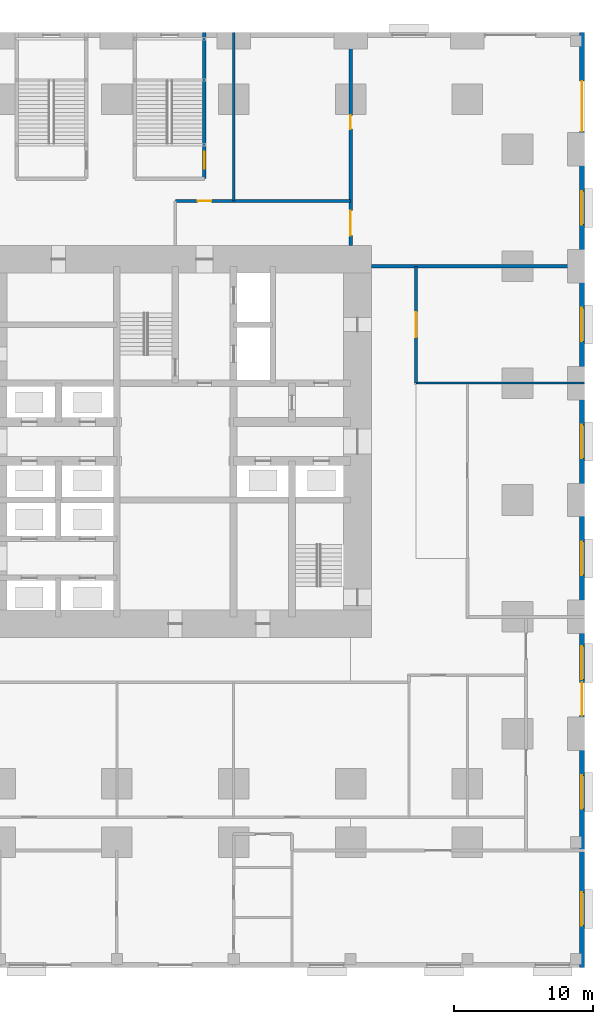
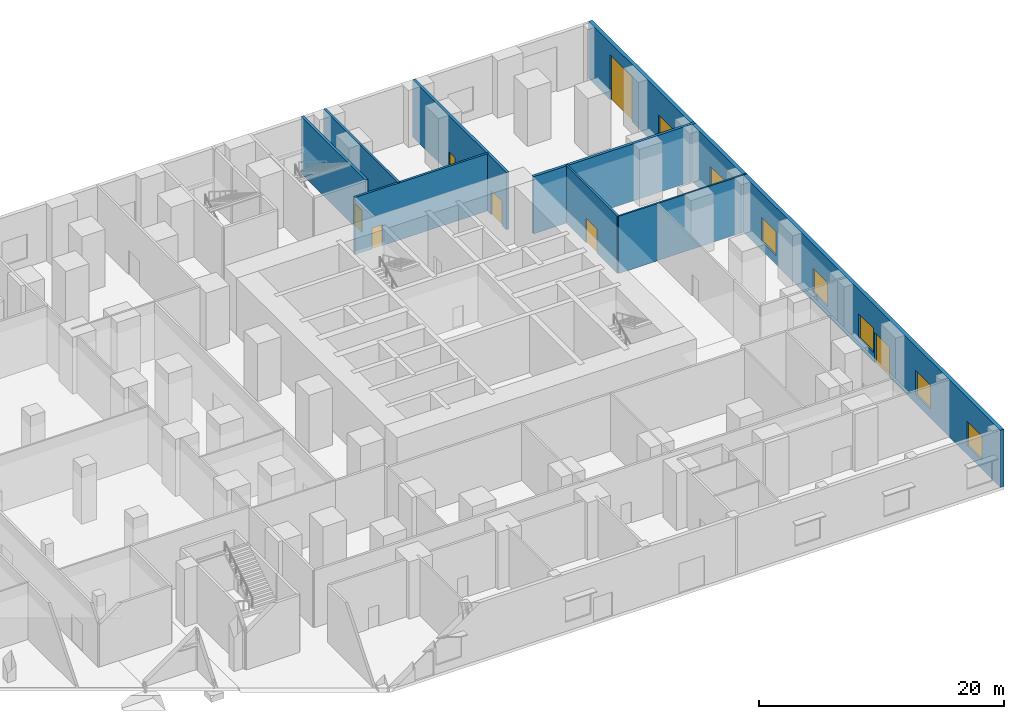
# One storey, part 20 of 26: 8 walls, 7 doors, 7 windows, 14 openings.
"""IFC4 building model written with IfcOpenShell, lengths in metres."""

from ifc_helpers import new_model, si_unit, direction, frame, frame_2d, origin, place, context, subcontext, project, spatial, rectangle, extrude, material, layer, layer_set, type_object, element, fill, save


model = new_model("IFC4")

# Units and contexts
model_context = context("Model", 3, precision=1e-05, world=origin(), true_north=direction((0.0, 1.0)))
body_context = subcontext(model_context, "Body", "Model", "MODEL_VIEW")
ifc_project = project(units=[si_unit("LENGTHUNIT", "METRE"), si_unit("AREAUNIT", "SQUARE_METRE"), si_unit("VOLUMEUNIT", "CUBIC_METRE"), si_unit("PLANEANGLEUNIT", "RADIAN"), si_unit("MASSUNIT", "GRAM", prefix="KILO")], contexts=[model_context])

# Site, building, storey
site_placement = place(None, origin())
site = spatial("IfcSite", under=ifc_project, at=site_placement, CompositionType="ELEMENT")
building_placement = place(site_placement, origin())
building = spatial("IfcBuilding", under=site, at=building_placement, Name="Dunama Terrace Hotel", CompositionType="ELEMENT")
storey_placement = place(building_placement, origin())
storey = spatial("IfcBuildingStorey", under=building, at=storey_placement, Name="L00", CompositionType="ELEMENT", Elevation=0.0)

# Wall
ifc_material_1 = material(Name="Concrete blockwork", Category="masonry")
ifc_layer_1 = layer(ifc_material_1, 0.199951171875)
ifc_layer_set_1 = layer_set([ifc_layer_1], Name="Corridor partition 200")
wall_type_1 = type_object("IfcWallType", Name="Corridor partition 200", PredefinedType="PARTITIONING", material=ifc_layer_set_1)
wall_1_placement = place(storey_placement, frame((33.60009765625, 46.699951171875, 0.0), z_axis=(0.0, 0.0, 1.0), x_axis=(0.0, 1.0, 0.0)))
element("IfcWall", 1, at=wall_1_placement, inside=storey, type_object=wall_type_1, Name="Corridor partition 200 L00", PredefinedType="PARTITIONING", context=body_context, shape_type="SweptSolid", body=[
    extrude(rectangle(XDim=12.10009765625, YDim=0.199951171875, at=frame_2d((6.050048828125, 0.0))), origin(), (0.0, 0.0, 1.0), 5.699951171875),
])

# Wall, opening, door
wall_2_placement = place(storey_placement, frame((46.699951171875, 33.60009765625, 0.0), z_axis=(0.0, 0.0, 1.0), x_axis=(0.0, 1.0, 0.0)))
wall_2 = element("IfcWall", 2, at=wall_2_placement, inside=storey, type_object=wall_type_1, Name="Corridor partition 200 L00", PredefinedType="PARTITIONING", context=body_context, shape_type="SweptSolid", body=[
    extrude(rectangle(XDim=8.39990234375, YDim=0.199951171875, at=frame_2d((4.199951171875, 0.0))), origin(), (0.0, 0.0, 1.0), 5.699951171875),
])
opening_1_placement = place(wall_2_placement, frame((3.300048828125, 0.0, 0.0)))
opening_1 = element("IfcOpeningElement", 3, at=opening_1_placement, cuts=wall_2, Name="Opening L00-063", PredefinedType="OPENING", context=body_context, shape_type="SweptSolid", body=[
    extrude(rectangle(XDim=1.800048828125, YDim=2.39990234375, at=frame_2d((0.89990234375, 1.199951171875))), frame((0.0, 0.10986328125, 0.0), z_axis=(0.0, -1.0, 0.0), x_axis=(1.0, 0.0, 0.0)), (0.0, 0.0, 1.0), 0.219970703125),
])
ifc_material_2 = material(Name="Aluminium-framed glazed door", Category="aluminium")
door_type_1 = type_object("IfcDoorType", Name="Glazed double door 1800", OperationType="DOUBLE_DOOR_DOUBLE_SWING", PredefinedType="DOOR", material=ifc_material_2)
door_1_placement = place(opening_1_placement, origin())
door_1 = element("IfcDoor", 4, at=door_1_placement, inside=storey, type_object=door_type_1, Name="Door to business centre L00-063, type D8", OperationType="DOUBLE_DOOR_DOUBLE_SWING", OverallHeight=2.39990234375, OverallWidth=1.800048828125, PredefinedType="DOOR", context=body_context, shape_type="SweptSolid", body=[
    extrude(rectangle(XDim=1.800048828125, YDim=2.39990234375, at=frame_2d((0.89990234375, 1.199951171875))), frame((0.0, 0.02490234375, 0.0), z_axis=(0.0, -1.0, 0.0), x_axis=(1.0, 0.0, 0.0)), (0.0, 0.0, 1.0), 0.050048828125),
])
fill(opening_1, door_1)

wall_3_placement = place(storey_placement, frame((29.39990234375, 46.699951171875, 0.0), z_axis=(0.0, 0.0, 1.0), x_axis=(1.0, 0.0, 0.0)))
wall_3 = element("IfcWall", 5, at=wall_3_placement, inside=storey, type_object=wall_type_1, Name="Corridor partition 200 L00", PredefinedType="PARTITIONING", context=body_context, shape_type="SweptSolid", body=[
    extrude(rectangle(XDim=12.60009765625, YDim=0.199951171875, at=frame_2d((6.300048828125, 0.0))), origin(), (0.0, 0.0, 1.0), 5.699951171875),
])
opening_2_placement = place(wall_3_placement, frame((1.60009765625, 0.0, 0.0)))
opening_2 = element("IfcOpeningElement", 6, at=opening_2_placement, cuts=wall_3, Name="Opening L00-060", PredefinedType="OPENING", context=body_context, shape_type="SweptSolid", body=[
    extrude(rectangle(XDim=1.0, YDim=2.10009765625, at=frame_2d((0.5, 1.050048828125))), frame((0.0, 0.10986328125, 0.0), z_axis=(0.0, -1.0, 0.0), x_axis=(1.0, 0.0, 0.0)), (0.0, 0.0, 1.0), 0.219970703125),
])
ifc_material_3 = material(Name="Timber door with steel frame", Category="steel")
door_type_2 = type_object("IfcDoorType", Name="Service door 1000", OperationType="SINGLE_SWING_LEFT", PredefinedType="DOOR", material=ifc_material_3)
door_2_placement = place(opening_2_placement, origin())
door_2 = element("IfcDoor", 7, at=door_2_placement, inside=storey, type_object=door_type_2, Name="Door to service lift lobby L00-060, type D7", OperationType="SINGLE_SWING_LEFT", OverallHeight=2.10009765625, OverallWidth=1.0, PredefinedType="DOOR", context=body_context, shape_type="SweptSolid", body=[
    extrude(rectangle(XDim=1.0, YDim=2.10009765625, at=frame_2d((0.5, 1.050048828125))), frame((0.0, 0.02490234375, 0.0), z_axis=(0.0, -1.0, 0.0), x_axis=(1.0, 0.0, 0.0)), (0.0, 0.0, 1.0), 0.050048828125),
])
fill(opening_2, door_2)

# Wall, openings, doors
ifc_material_4 = material(Name="Concrete blockwork", Category="masonry")
ifc_layer_2 = layer(ifc_material_4, 0.25)
ifc_layer_set_2 = layer_set([ifc_layer_2], Name="Plant room wall 250")
wall_type_2 = type_object("IfcWallType", Name="Plant room wall 250", PredefinedType="PARTITIONING", material=ifc_layer_set_2)
wall_4_placement = place(storey_placement, frame((42.0, 43.5, 0.0), z_axis=(0.0, 0.0, 1.0), x_axis=(0.0, 1.0, 0.0)))
wall_4 = element("IfcWall", 8, at=wall_4_placement, inside=storey, type_object=wall_type_2, Name="Plant room wall 250 L00", PredefinedType="PARTITIONING", context=body_context, shape_type="SweptSolid", body=[
    extrude(rectangle(XDim=15.300048828125, YDim=0.25, at=frame_2d((7.64990234375, 0.0))), origin(), (0.0, 0.0, 1.0), 5.699951171875),
])
opening_3_placement = place(wall_4_placement, frame((0.699951171875, 0.0, 0.0)))
opening_3 = element("IfcOpeningElement", 9, at=opening_3_placement, cuts=wall_4, Name="Opening L00-058", PredefinedType="OPENING", context=body_context, shape_type="SweptSolid", body=[
    extrude(rectangle(XDim=1.800048828125, YDim=2.39990234375, at=frame_2d((0.89990234375, 1.199951171875))), frame((0.0, 0.135009765625, 0.0), z_axis=(0.0, -1.0, 0.0), x_axis=(1.0, 0.0, 0.0)), (0.0, 0.0, 1.0), 0.27001953125),
])
opening_4_placement = place(wall_4_placement, frame((8.35009765625, 0.0, 0.0)))
opening_4 = element("IfcOpeningElement", 10, at=opening_4_placement, cuts=wall_4, Name="Opening L00-059", PredefinedType="OPENING", context=body_context, shape_type="SweptSolid", body=[
    extrude(rectangle(XDim=1.0, YDim=2.10009765625, at=frame_2d((0.5, 1.050048828125))), frame((0.0, 0.135009765625, 0.0), z_axis=(0.0, -1.0, 0.0), x_axis=(1.0, 0.0, 0.0)), (0.0, 0.0, 1.0), 0.27001953125),
])
door_3_placement = place(opening_3_placement, origin())
door_3 = element("IfcDoor", 11, at=door_3_placement, inside=storey, type_object=door_type_1, Name="Door to loading dock L00-058, type D8", OperationType="DOUBLE_DOOR_DOUBLE_SWING", OverallHeight=2.39990234375, OverallWidth=1.800048828125, PredefinedType="DOOR", context=body_context, shape_type="SweptSolid", body=[
    extrude(rectangle(XDim=1.800048828125, YDim=2.39990234375, at=frame_2d((0.89990234375, 1.199951171875))), frame((0.0, 0.02490234375, 0.0), z_axis=(0.0, -1.0, 0.0), x_axis=(1.0, 0.0, 0.0)), (0.0, 0.0, 1.0), 0.050048828125),
])
fill(opening_3, door_3)
door_4_placement = place(opening_4_placement, origin())
door_4 = element("IfcDoor", 12, at=door_4_placement, inside=storey, type_object=door_type_2, Name="Door to refuse store L00-059, type D7", OperationType="SINGLE_SWING_RIGHT", OverallHeight=2.10009765625, OverallWidth=1.0, PredefinedType="DOOR", context=body_context, shape_type="SweptSolid", body=[
    extrude(rectangle(XDim=1.0, YDim=2.10009765625, at=frame_2d((0.5, 1.050048828125))), frame((0.0, 0.02490234375, 0.0), z_axis=(0.0, -1.0, 0.0), x_axis=(1.0, 0.0, 0.0)), (0.0, 0.0, 1.0), 0.050048828125),
])
fill(opening_4, door_4)

# Wall
wall_5_placement = place(storey_placement, frame((43.5, 42.0, 0.0), z_axis=(0.0, 0.0, 1.0), x_axis=(1.0, 0.0, 0.0)))
element("IfcWall", 13, at=wall_5_placement, inside=storey, type_object=wall_type_2, Name="Plant room wall 250 L00", PredefinedType="PARTITIONING", context=body_context, shape_type="SweptSolid", body=[
    extrude(rectangle(XDim=15.300048828125, YDim=0.25, at=frame_2d((7.64990234375, 0.0))), origin(), (0.0, 0.0, 1.0), 5.699951171875),
])

# Wall, openings, doors, windows
ifc_material_5 = material(Name="Granite-faced concrete blockwork", Category="masonry")
ifc_layer_3 = layer(ifc_material_5, 0.35009765625)
ifc_layer_set_3 = layer_set([ifc_layer_3], Name="Podium external wall 350")
wall_type_3 = type_object("IfcWallType", Name="Podium external wall 350", PredefinedType="SOLIDWALL", material=ifc_layer_set_3)
wall_6_placement = place(storey_placement, frame((58.625, -8.39990234375, 0.0), z_axis=(0.0, 0.0, 1.0), x_axis=(0.0, 1.0, 0.0)))
wall_6 = element("IfcWall", 14, at=wall_6_placement, inside=storey, type_object=wall_type_3, Name="Podium external wall 350 L00", PredefinedType="SOLIDWALL", context=body_context, shape_type="SweptSolid", body=[
    extrude(rectangle(XDim=67.199951171875, YDim=0.35009765625, at=frame_2d((33.60009765625, 0.0))), origin(), (0.0, 0.0, 1.0), 5.699951171875),
])
opening_5_placement = place(wall_6_placement, frame((3.0, 0.0, 0.89990234375)))
opening_5 = element("IfcOpeningElement", 15, at=opening_5_placement, cuts=wall_6, Name="Opening W1", PredefinedType="OPENING", context=body_context, shape_type="SweptSolid", body=[
    extrude(rectangle(XDim=2.39990234375, YDim=2.39990234375, at=frame_2d((1.199951171875, 1.199951171875))), frame((0.0, 0.18505859375, 0.0), z_axis=(0.0, -1.0, 0.0), x_axis=(1.0, 0.0, 0.0)), (0.0, 0.0, 1.0), 0.3701171875),
])
opening_6_placement = place(wall_6_placement, frame((18.10009765625, 0.0, 0.0)))
opening_6 = element("IfcOpeningElement", 16, at=opening_6_placement, cuts=wall_6, Name="Opening L00-007", PredefinedType="OPENING", context=body_context, shape_type="SweptSolid", body=[
    extrude(rectangle(XDim=2.39990234375, YDim=3.0, at=frame_2d((1.199951171875, 1.5))), frame((0.0, 0.18505859375, 0.0), z_axis=(0.0, -1.0, 0.0), x_axis=(1.0, 0.0, 0.0)), (0.0, 0.0, 1.0), 0.3701171875),
])
opening_7_placement = place(wall_6_placement, frame((11.39990234375, 0.0, 0.89990234375)))
opening_7 = element("IfcOpeningElement", 17, at=opening_7_placement, cuts=wall_6, Name="Opening W1", PredefinedType="OPENING", context=body_context, shape_type="SweptSolid", body=[
    extrude(rectangle(XDim=2.39990234375, YDim=2.39990234375, at=frame_2d((1.199951171875, 1.199951171875))), frame((0.0, 0.18505859375, 0.0), z_axis=(0.0, -1.0, 0.0), x_axis=(1.0, 0.0, 0.0)), (0.0, 0.0, 1.0), 0.3701171875),
])
opening_8_placement = place(wall_6_placement, frame((20.699951171875, 0.0, 0.89990234375)))
opening_8 = element("IfcOpeningElement", 18, at=opening_8_placement, cuts=wall_6, Name="Opening W1", PredefinedType="OPENING", context=body_context, shape_type="SweptSolid", body=[
    extrude(rectangle(XDim=2.39990234375, YDim=2.39990234375, at=frame_2d((1.199951171875, 1.199951171875))), frame((0.0, 0.18505859375, 0.0), z_axis=(0.0, -1.0, 0.0), x_axis=(1.0, 0.0, 0.0)), (0.0, 0.0, 1.0), 0.3701171875),
])
opening_9_placement = place(wall_6_placement, frame((28.199951171875, 0.0, 0.89990234375)))
opening_9 = element("IfcOpeningElement", 19, at=opening_9_placement, cuts=wall_6, Name="Opening W1", PredefinedType="OPENING", context=body_context, shape_type="SweptSolid", body=[
    extrude(rectangle(XDim=2.39990234375, YDim=2.39990234375, at=frame_2d((1.199951171875, 1.199951171875))), frame((0.0, 0.18505859375, 0.0), z_axis=(0.0, -1.0, 0.0), x_axis=(1.0, 0.0, 0.0)), (0.0, 0.0, 1.0), 0.3701171875),
])
opening_10_placement = place(wall_6_placement, frame((36.60009765625, 0.0, 0.89990234375)))
opening_10 = element("IfcOpeningElement", 20, at=opening_10_placement, cuts=wall_6, Name="Opening W1", PredefinedType="OPENING", context=body_context, shape_type="SweptSolid", body=[
    extrude(rectangle(XDim=2.39990234375, YDim=2.39990234375, at=frame_2d((1.199951171875, 1.199951171875))), frame((0.0, 0.18505859375, 0.0), z_axis=(0.0, -1.0, 0.0), x_axis=(1.0, 0.0, 0.0)), (0.0, 0.0, 1.0), 0.3701171875),
])
opening_11_placement = place(wall_6_placement, frame((45.0, 0.0, 0.89990234375)))
opening_11 = element("IfcOpeningElement", 21, at=opening_11_placement, cuts=wall_6, Name="Opening W1", PredefinedType="OPENING", context=body_context, shape_type="SweptSolid", body=[
    extrude(rectangle(XDim=2.39990234375, YDim=2.39990234375, at=frame_2d((1.199951171875, 1.199951171875))), frame((0.0, 0.18505859375, 0.0), z_axis=(0.0, -1.0, 0.0), x_axis=(1.0, 0.0, 0.0)), (0.0, 0.0, 1.0), 0.3701171875),
])
opening_12_placement = place(wall_6_placement, frame((60.10009765625, 0.0, 0.0)))
opening_12 = element("IfcOpeningElement", 22, at=opening_12_placement, cuts=wall_6, Name="Opening L00-008", PredefinedType="OPENING", context=body_context, shape_type="SweptSolid", body=[
    extrude(rectangle(XDim=3.60009765625, YDim=4.5, at=frame_2d((1.800048828125, 2.25))), frame((0.0, 0.18505859375, 0.0), z_axis=(0.0, -1.0, 0.0), x_axis=(1.0, 0.0, 0.0)), (0.0, 0.0, 1.0), 0.3701171875),
])
opening_13_placement = place(wall_6_placement, frame((53.39990234375, 0.0, 0.89990234375)))
opening_13 = element("IfcOpeningElement", 23, at=opening_13_placement, cuts=wall_6, Name="Opening W1", PredefinedType="OPENING", context=body_context, shape_type="SweptSolid", body=[
    extrude(rectangle(XDim=2.39990234375, YDim=2.39990234375, at=frame_2d((1.199951171875, 1.199951171875))), frame((0.0, 0.18505859375, 0.0), z_axis=(0.0, -1.0, 0.0), x_axis=(1.0, 0.0, 0.0)), (0.0, 0.0, 1.0), 0.3701171875),
])
ifc_material_6 = material(Name="Timber door with steel frame", Category="steel")
door_type_3 = type_object("IfcDoorType", Name="Loading roller shutter 3600", OperationType="ROLLINGUP", PredefinedType="DOOR", material=ifc_material_6)
door_5_placement = place(opening_12_placement, origin())
door_5 = element("IfcDoor", 24, at=door_5_placement, inside=storey, type_object=door_type_3, Name="Loading dock shutter L00-008, type D13", OperationType="ROLLINGUP", OverallHeight=4.5, OverallWidth=3.60009765625, PredefinedType="DOOR", context=body_context, shape_type="SweptSolid", body=[
    extrude(rectangle(XDim=3.60009765625, YDim=4.5, at=frame_2d((1.800048828125, 2.25))), frame((0.0, 0.02490234375, 0.0), z_axis=(0.0, -1.0, 0.0), x_axis=(1.0, 0.0, 0.0)), (0.0, 0.0, 1.0), 0.050048828125),
])
fill(opening_12, door_5)
ifc_material_7 = material(Name="Aluminium-framed glazed door", Category="aluminium")
door_type_4 = type_object("IfcDoorType", Name="Main entrance door 2400", OperationType="DOUBLE_DOOR_DOUBLE_SWING", PredefinedType="DOOR", material=ifc_material_7)
door_6_placement = place(opening_6_placement, origin())
door_6 = element("IfcDoor", 25, at=door_6_placement, inside=storey, type_object=door_type_4, Name="Entrance door L00-007, type D14", OperationType="DOUBLE_DOOR_DOUBLE_SWING", OverallHeight=3.0, OverallWidth=2.39990234375, PredefinedType="DOOR", context=body_context, shape_type="SweptSolid", body=[
    extrude(rectangle(XDim=2.39990234375, YDim=3.0, at=frame_2d((1.199951171875, 1.5))), frame((0.0, 0.02490234375, 0.0), z_axis=(0.0, -1.0, 0.0), x_axis=(1.0, 0.0, 0.0)), (0.0, 0.0, 1.0), 0.050048828125),
])
fill(opening_6, door_6)
ifc_material_8 = material(Name="Aluminium-framed double glazed window", Category="aluminium")
window_type = type_object("IfcWindowType", Name="Podium window 2400", PartitioningType="SINGLE_PANEL", PredefinedType="WINDOW", material=ifc_material_8)
window_1_placement = place(opening_5_placement, origin())
window_1 = element("IfcWindow", 26, at=window_1_placement, inside=storey, type_object=window_type, Name="Podium window 2400 L00", OverallHeight=2.39990234375, OverallWidth=2.39990234375, PartitioningType="SINGLE_PANEL", PredefinedType="WINDOW", context=body_context, shape_type="SweptSolid", body=[
    extrude(rectangle(XDim=2.39990234375, YDim=2.39990234375, at=frame_2d((1.199951171875, 1.199951171875))), frame((0.0, 0.030029296875, 0.0), z_axis=(0.0, -1.0, 0.0), x_axis=(1.0, 0.0, 0.0)), (0.0, 0.0, 1.0), 0.06005859375),
])
fill(opening_5, window_1)
window_2_placement = place(opening_7_placement, origin())
window_2 = element("IfcWindow", 27, at=window_2_placement, inside=storey, type_object=window_type, Name="Podium window 2400 L00", OverallHeight=2.39990234375, OverallWidth=2.39990234375, PartitioningType="SINGLE_PANEL", PredefinedType="WINDOW", context=body_context, shape_type="SweptSolid", body=[
    extrude(rectangle(XDim=2.39990234375, YDim=2.39990234375, at=frame_2d((1.199951171875, 1.199951171875))), frame((0.0, 0.030029296875, 0.0), z_axis=(0.0, -1.0, 0.0), x_axis=(1.0, 0.0, 0.0)), (0.0, 0.0, 1.0), 0.06005859375),
])
fill(opening_7, window_2)
window_3_placement = place(opening_8_placement, origin())
window_3 = element("IfcWindow", 28, at=window_3_placement, inside=storey, type_object=window_type, Name="Podium window 2400 L00", OverallHeight=2.39990234375, OverallWidth=2.39990234375, PartitioningType="SINGLE_PANEL", PredefinedType="WINDOW", context=body_context, shape_type="SweptSolid", body=[
    extrude(rectangle(XDim=2.39990234375, YDim=2.39990234375, at=frame_2d((1.199951171875, 1.199951171875))), frame((0.0, 0.030029296875, 0.0), z_axis=(0.0, -1.0, 0.0), x_axis=(1.0, 0.0, 0.0)), (0.0, 0.0, 1.0), 0.06005859375),
])
fill(opening_8, window_3)
window_4_placement = place(opening_9_placement, origin())
window_4 = element("IfcWindow", 29, at=window_4_placement, inside=storey, type_object=window_type, Name="Podium window 2400 L00", OverallHeight=2.39990234375, OverallWidth=2.39990234375, PartitioningType="SINGLE_PANEL", PredefinedType="WINDOW", context=body_context, shape_type="SweptSolid", body=[
    extrude(rectangle(XDim=2.39990234375, YDim=2.39990234375, at=frame_2d((1.199951171875, 1.199951171875))), frame((0.0, 0.030029296875, 0.0), z_axis=(0.0, -1.0, 0.0), x_axis=(1.0, 0.0, 0.0)), (0.0, 0.0, 1.0), 0.06005859375),
])
fill(opening_9, window_4)
window_5_placement = place(opening_10_placement, origin())
window_5 = element("IfcWindow", 30, at=window_5_placement, inside=storey, type_object=window_type, Name="Podium window 2400 L00", OverallHeight=2.39990234375, OverallWidth=2.39990234375, PartitioningType="SINGLE_PANEL", PredefinedType="WINDOW", context=body_context, shape_type="SweptSolid", body=[
    extrude(rectangle(XDim=2.39990234375, YDim=2.39990234375, at=frame_2d((1.199951171875, 1.199951171875))), frame((0.0, 0.030029296875, 0.0), z_axis=(0.0, -1.0, 0.0), x_axis=(1.0, 0.0, 0.0)), (0.0, 0.0, 1.0), 0.06005859375),
])
fill(opening_10, window_5)
window_6_placement = place(opening_11_placement, origin())
window_6 = element("IfcWindow", 31, at=window_6_placement, inside=storey, type_object=window_type, Name="Podium window 2400 L00", OverallHeight=2.39990234375, OverallWidth=2.39990234375, PartitioningType="SINGLE_PANEL", PredefinedType="WINDOW", context=body_context, shape_type="SweptSolid", body=[
    extrude(rectangle(XDim=2.39990234375, YDim=2.39990234375, at=frame_2d((1.199951171875, 1.199951171875))), frame((0.0, 0.030029296875, 0.0), z_axis=(0.0, -1.0, 0.0), x_axis=(1.0, 0.0, 0.0)), (0.0, 0.0, 1.0), 0.06005859375),
])
fill(opening_11, window_6)
window_7_placement = place(opening_13_placement, origin())
window_7 = element("IfcWindow", 32, at=window_7_placement, inside=storey, type_object=window_type, Name="Podium window 2400 L00", OverallHeight=2.39990234375, OverallWidth=2.39990234375, PartitioningType="SINGLE_PANEL", PredefinedType="WINDOW", context=body_context, shape_type="SweptSolid", body=[
    extrude(rectangle(XDim=2.39990234375, YDim=2.39990234375, at=frame_2d((1.199951171875, 1.199951171875))), frame((0.0, 0.030029296875, 0.0), z_axis=(0.0, -1.0, 0.0), x_axis=(1.0, 0.0, 0.0)), (0.0, 0.0, 1.0), 0.06005859375),
])
fill(opening_13, window_7)

# Wall
ifc_material_9 = material(Name="Gypsum board partition", Category="masonry")
ifc_layer_4 = layer(ifc_material_9, 0.14990234375)
ifc_layer_set_4 = layer_set([ifc_layer_4], Name="Room partition 150")
wall_type_4 = type_object("IfcWallType", Name="Room partition 150", PredefinedType="PARTITIONING", material=ifc_layer_set_4)
wall_7_placement = place(storey_placement, frame((46.699951171875, 33.60009765625, 0.0), z_axis=(0.0, 0.0, 1.0), x_axis=(1.0, 0.0, 0.0)))
element("IfcWall", 33, at=wall_7_placement, inside=storey, type_object=wall_type_4, Name="Room partition 150 L00", PredefinedType="PARTITIONING", context=body_context, shape_type="SweptSolid", body=[
    extrude(rectangle(XDim=12.10009765625, YDim=0.14990234375, at=frame_2d((6.050048828125, 0.0))), origin(), (0.0, 0.0, 1.0), 5.699951171875),
])

# Wall, opening, door
ifc_material_10 = material(Name="Concrete blockwork", Category="masonry")
ifc_layer_5 = layer(ifc_material_10, 0.25)
ifc_layer_set_5 = layer_set([ifc_layer_5], Name="Stair enclosure wall 250")
wall_type_5 = type_object("IfcWallType", Name="Stair enclosure wall 250", PredefinedType="PARTITIONING", material=ifc_layer_set_5)
wall_8_placement = place(storey_placement, frame((31.5, 48.300048828125, 0.0), z_axis=(0.0, 0.0, 1.0), x_axis=(0.0, 1.0, 0.0)))
wall_8 = element("IfcWall", 34, at=wall_8_placement, inside=storey, type_object=wall_type_5, Name="Stair enclosure wall 250 L00", PredefinedType="PARTITIONING", context=body_context, shape_type="SweptSolid", body=[
    extrude(rectangle(XDim=10.5, YDim=0.25, at=frame_2d((5.25, 0.0))), origin(), (0.0, 0.0, 1.0), 5.699951171875),
])
opening_14_placement = place(wall_8_placement, frame((0.72509765625, 0.0, 0.0)))
opening_14 = element("IfcOpeningElement", 35, at=opening_14_placement, cuts=wall_8, Name="Opening L00-027", PredefinedType="OPENING", context=body_context, shape_type="SweptSolid", body=[
    extrude(rectangle(XDim=1.199951171875, YDim=2.199951171875, at=frame_2d((0.60009765625, 1.10009765625))), frame((0.0, 0.135009765625, 0.0), z_axis=(0.0, -1.0, 0.0), x_axis=(1.0, 0.0, 0.0)), (0.0, 0.0, 1.0), 0.27001953125),
])
ifc_material_11 = material(Name="Timber door with steel frame", Category="steel")
door_type_5 = type_object("IfcDoorType", Name="Stair door 1200", OperationType="SINGLE_SWING_LEFT", PredefinedType="DOOR", material=ifc_material_11)
door_7_placement = place(opening_14_placement, frame((1.199951171875, 0.0, 0.0), z_axis=(0.0, 0.0, 1.0), x_axis=(-1.0, 0.0, 0.0)))
door_7 = element("IfcDoor", 36, at=door_7_placement, inside=storey, type_object=door_type_5, Name="Stair door P6 L00-027, type D5", OperationType="SINGLE_SWING_LEFT", OverallHeight=2.199951171875, OverallWidth=1.199951171875, PredefinedType="DOOR", context=body_context, shape_type="SweptSolid", body=[
    extrude(rectangle(XDim=1.199951171875, YDim=2.199951171875, at=frame_2d((0.599853515625, 1.10009765625))), frame((0.0, 0.025146484375, 0.0), z_axis=(0.0, -1.0, 0.0), x_axis=(1.0, 0.0, 0.0)), (0.0, 0.0, 1.0), 0.050048828125),
])
fill(opening_14, door_7)

save(model, "model.ifc")
